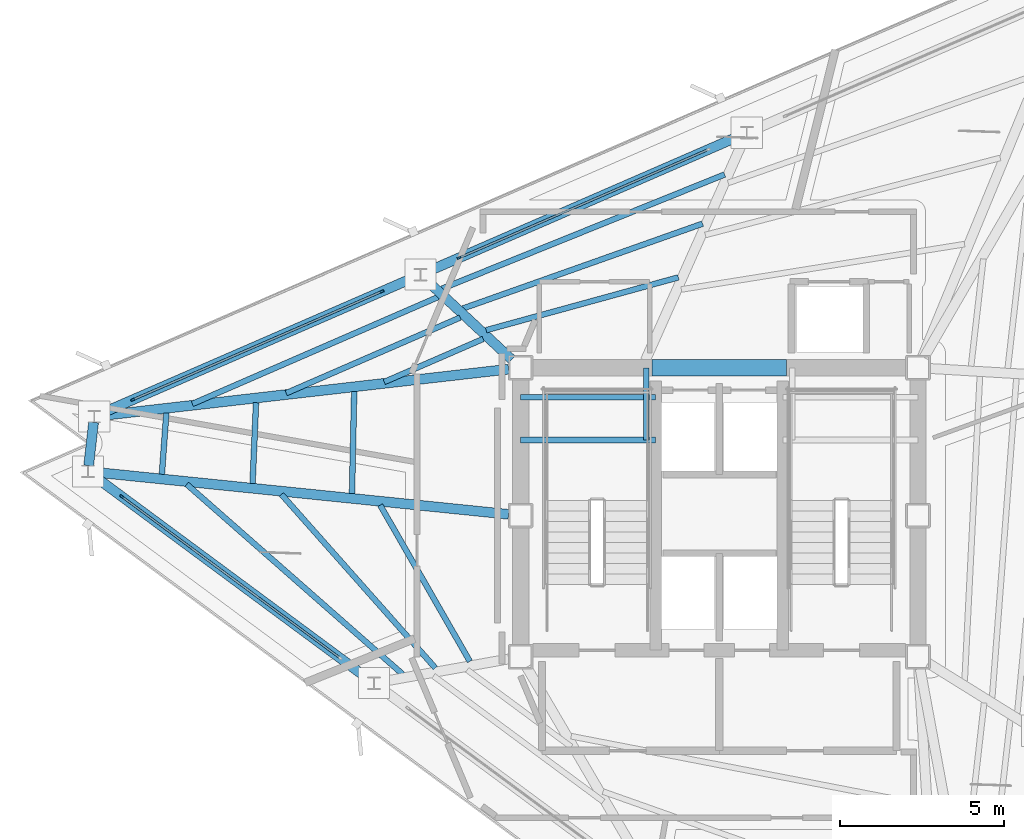
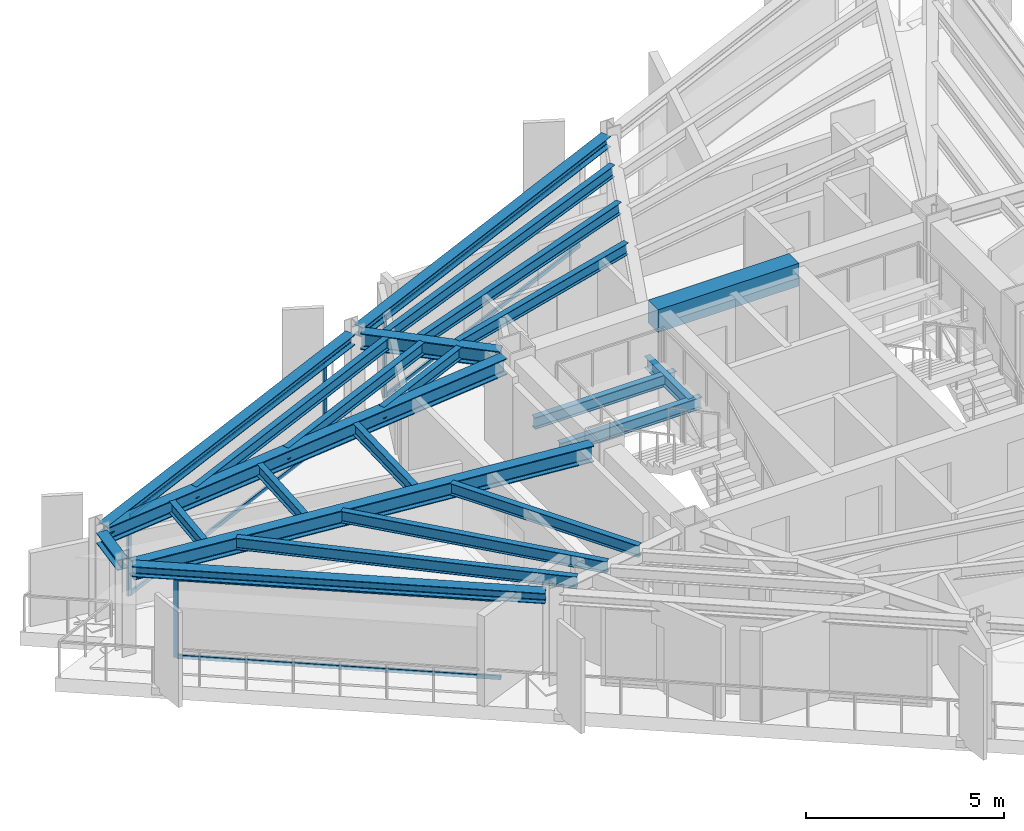
# One storey, part 3 of 10: 23 beams, 10 members, 3 elements without a shape of their own.
"""IFC4 building model written with IfcOpenShell, lengths in metres."""

from ifc_helpers import new_model, si_unit, direction, frame, origin, origin_2d, place, context, subcontext, project, spatial, rectangle, i_section, extrude, material, layer, layer_set, material_profile, profile_set, type_object, element, aggregate, save


model = new_model("IFC4")

# Units and contexts
model_context = context("Model", 3, precision=1e-05, world=origin(), true_north=direction((0.0, 1.0)))
body_context = subcontext(model_context, "Body", "Model", "MODEL_VIEW")
ifc_project = project(units=[si_unit("LENGTHUNIT", "METRE"), si_unit("AREAUNIT", "SQUARE_METRE"), si_unit("VOLUMEUNIT", "CUBIC_METRE"), si_unit("PLANEANGLEUNIT", "RADIAN"), si_unit("MASSUNIT", "GRAM", prefix="KILO")], contexts=[model_context])

# Site, building, storey
site_placement = place(None, origin())
site = spatial("IfcSite", under=ifc_project, at=site_placement, CompositionType="ELEMENT")
building_placement = place(site_placement, origin())
building = spatial("IfcBuilding", under=site, at=building_placement, Name="Rocaltana Carrier Exchange", CompositionType="ELEMENT")
storey_placement = place(building_placement, frame((0.0, 0.0, 214.8798828125)))
storey = spatial("IfcBuildingStorey", under=building, at=storey_placement, Name="L68", CompositionType="ELEMENT", Elevation=214.8798828125)

# Curtain wall, member
ifc_material_1 = material(Name="Aluminium 6063-T6", Category="aluminium")
ifc_layer = layer(ifc_material_1, 0.1201171875)
ifc_layer_set = layer_set([ifc_layer], Name="Aluminium 6063-T6")
curtain_wall_type = type_object("IfcCurtainWallType", Name="High-Altitude Thermal Curtain Wall CW-05", PredefinedType="NOTDEFINED", material=ifc_layer_set)
curtain_wall_1_placement = place(storey_placement, origin())
curtain_wall_1 = element("IfcCurtainWall", 1, at=curtain_wall_1_placement, inside=storey, type_object=curtain_wall_type, Name="L68 CW-05 Run CW-L68-F2S2", PredefinedType="NOTDEFINED")
ifc_material_2 = material(Name="Aluminium 6063-T6", Category="aluminium")
ifc_material_profile_1 = material_profile(ifc_material_2, rectangle(XDim=0.06005859375, YDim=0.1201171875, at=origin_2d()), Name="AL-60X120")
ifc_profile_set_1 = profile_set([ifc_material_profile_1], Name="Aluminium 6063-T6")
member_type_1 = type_object("IfcMemberType", Name="CW-05 Mullion AL-60X120", PredefinedType="MULLION", material=ifc_profile_set_1)
member_1_placement = place(storey_placement, frame((-7.922607421875, 7.846435546875, 0.0), z_axis=(0.0, 0.0, 1.0), x_axis=(0.398752438254, -0.917058609352, 0.0)))
member_1 = element("IfcMember", 2, at=member_1_placement, type_object=member_type_1, Name="CW-05 mullion 2", PredefinedType="MULLION", context=body_context, shape_type="SweptSolid", body=[
    extrude(rectangle(XDim=0.06005859375, YDim=0.1201171875, at=origin_2d()), origin(), (0.0, 0.0, 1.0), 2.447998046875),
])

# Curtain wall, members
curtain_wall_2_placement = place(storey_placement, origin())
curtain_wall_2 = element("IfcCurtainWall", 3, at=curtain_wall_2_placement, inside=storey, type_object=curtain_wall_type, Name="L68 CW-05 Run CW-L68-F2S3", PredefinedType="NOTDEFINED")
member_2_placement = place(storey_placement, frame((-10.270263671875, 6.82568359375, 0.0), z_axis=(0.0, 0.0, 1.0), x_axis=(0.39875682637, -0.917056701313, 0.0)))
member_2 = element("IfcMember", 4, at=member_2_placement, type_object=member_type_1, Name="CW-05 mullion 1", PredefinedType="MULLION", context=body_context, shape_type="SweptSolid", body=[
    extrude(rectangle(XDim=0.06005859375, YDim=0.1201171875, at=origin_2d()), origin(), (0.0, 0.0, 1.0), 2.447998046875),
])
member_3_placement = place(storey_placement, frame((-17.857421875, 3.526611328125, 0.0), z_axis=(0.0, 0.0, 1.0), x_axis=(0.39875682637, -0.917056701313, 0.0)))
member_3 = element("IfcMember", 5, at=member_3_placement, type_object=member_type_1, Name="CW-05 mullion 2", PredefinedType="MULLION", context=body_context, shape_type="SweptSolid", body=[
    extrude(rectangle(XDim=0.06005859375, YDim=0.1201171875, at=origin_2d()), origin(), (0.0, 0.0, 1.0), 2.447998046875),
])

# Curtain wall, member
curtain_wall_3_placement = place(storey_placement, origin())
curtain_wall_3 = element("IfcCurtainWall", 6, at=curtain_wall_3_placement, inside=storey, type_object=curtain_wall_type, Name="L68 CW-05 Run CW-L68-F3S1", PredefinedType="NOTDEFINED")
member_4_placement = place(storey_placement, frame((-18.19287109375, 0.580810546875, 0.0), z_axis=(0.0, 0.0, 1.0), x_axis=(0.594826566974, 0.803854063386, 0.0)))
member_4 = element("IfcMember", 7, at=member_4_placement, type_object=member_type_1, Name="CW-05 mullion 1", PredefinedType="MULLION", context=body_context, shape_type="SweptSolid", body=[
    extrude(rectangle(XDim=0.06005859375, YDim=0.1201171875, at=origin_2d()), origin(), (0.0, 0.0, 1.0), 2.447998046875),
])

# Member
ifc_material_3 = material(Name="Aluminium 6063-T6", Category="aluminium")
ifc_material_profile_2 = material_profile(ifc_material_3, rectangle(XDim=0.06005859375, YDim=0.1201171875, at=origin_2d()), Name="AL-60X120")
ifc_profile_set_2 = profile_set([ifc_material_profile_2], Name="Aluminium 6063-T6")
member_type_2 = type_object("IfcMemberType", Name="CW-05 Transom AL-60X120", PredefinedType="USERDEFINED", material=ifc_profile_set_2)
member_5_placement = place(storey_placement, frame((-0.36279296875, 11.133544921875, 0.030029296875), z_axis=(-0.917058241688, -0.398753283814, 0.0), x_axis=(0.398753283814, -0.917058241688, 0.0)))
member_5 = element("IfcMember", 8, at=member_5_placement, type_object=member_type_2, Name="CW-05 transom 1.1", ObjectType="TRANSOM", PredefinedType="USERDEFINED", context=body_context, shape_type="SweptSolid", body=[
    extrude(rectangle(XDim=0.06005859375, YDim=0.1201171875, at=origin_2d()), origin(), (0.0, 0.0, 1.0), 8.21337890625),
])

member_6_placement = place(storey_placement, frame((-0.36279296875, 11.133544921875, 2.418212890625), z_axis=(-0.917058241688, -0.398753283814, 0.0), x_axis=(0.398753283814, -0.917058241688, 0.0)))
member_6 = element("IfcMember", 9, at=member_6_placement, type_object=member_type_2, Name="CW-05 transom 1.2", ObjectType="TRANSOM", PredefinedType="USERDEFINED", context=body_context, shape_type="SweptSolid", body=[
    extrude(rectangle(XDim=0.06005859375, YDim=0.1201171875, at=origin_2d()), origin(), (0.0, 0.0, 1.0), 8.21337890625),
])

aggregate(curtain_wall_1, [member_1, member_5, member_6])

member_7_placement = place(storey_placement, frame((-10.297607421875, 6.813720703125, 0.030029296875), z_axis=(-0.917058241688, -0.398753283814, 0.0), x_axis=(0.398753283814, -0.917058241688, 0.0)))
member_7 = element("IfcMember", 10, at=member_7_placement, type_object=member_type_2, Name="CW-05 transom 1.1", ObjectType="TRANSOM", PredefinedType="USERDEFINED", context=body_context, shape_type="SweptSolid", body=[
    extrude(rectangle(XDim=0.06005859375, YDim=0.1201171875, at=origin_2d()), origin(), (0.0, 0.0, 1.0), 8.21337890625),
])

member_8_placement = place(storey_placement, frame((-10.297607421875, 6.813720703125, 2.418212890625), z_axis=(-0.917058241688, -0.398753283814, 0.0), x_axis=(0.398753283814, -0.917058241688, 0.0)))
member_8 = element("IfcMember", 11, at=member_8_placement, type_object=member_type_2, Name="CW-05 transom 1.2", ObjectType="TRANSOM", PredefinedType="USERDEFINED", context=body_context, shape_type="SweptSolid", body=[
    extrude(rectangle(XDim=0.06005859375, YDim=0.1201171875, at=origin_2d()), origin(), (0.0, 0.0, 1.0), 8.21337890625),
])

aggregate(curtain_wall_2, [member_2, member_3, member_7, member_8])

member_9_placement = place(storey_placement, frame((-18.1689453125, 0.56298828125, 0.030029296875), z_axis=(0.803853553959, -0.594827255418, 0.0), x_axis=(0.594827255418, 0.803853553959, 0.0)))
member_9 = element("IfcMember", 12, at=member_9_placement, type_object=member_type_2, Name="CW-05 transom 1.1", ObjectType="TRANSOM", PredefinedType="USERDEFINED", context=body_context, shape_type="SweptSolid", body=[
    extrude(rectangle(XDim=0.06005859375, YDim=0.1201171875, at=origin_2d()), origin(), (0.0, 0.0, 1.0), 8.21337890625),
])

member_10_placement = place(storey_placement, frame((-18.1689453125, 0.56298828125, 2.418212890625), z_axis=(0.803853553959, -0.594827255418, 0.0), x_axis=(0.594827255418, 0.803853553959, 0.0)))
member_10 = element("IfcMember", 13, at=member_10_placement, type_object=member_type_2, Name="CW-05 transom 1.2", ObjectType="TRANSOM", PredefinedType="USERDEFINED", context=body_context, shape_type="SweptSolid", body=[
    extrude(rectangle(XDim=0.06005859375, YDim=0.1201171875, at=origin_2d()), origin(), (0.0, 0.0, 1.0), 8.21337890625),
])

aggregate(curtain_wall_3, [member_4, member_9, member_10])

# Beams
ifc_material_4 = material(Name="Concrete C60/75", Category="concrete")
ifc_material_profile_3 = material_profile(ifc_material_4, rectangle(XDim=0.5, YDim=0.699951171875, at=origin_2d()), Name="RC-BM-500X700")
ifc_profile_set_3 = profile_set([ifc_material_profile_3], Name="Concrete C60/75")
beam_type_1 = type_object("IfcBeamType", Name="Core Coupling Lintel 500x700", PredefinedType="LINTEL", material=ifc_profile_set_3)
beam_1_placement = place(storey_placement, frame((-2.050048828125, 4.5, 2.447998046875), z_axis=(1.0, 0.0, 0.0), x_axis=(0.0, 1.0, 0.0)))
element("IfcBeam", 14, at=beam_1_placement, inside=storey, type_object=beam_type_1, Name="L68 Core Coupling Lintel CL-N", PredefinedType="LINTEL", context=body_context, shape_type="SweptSolid", body=[
    extrude(rectangle(XDim=0.5, YDim=0.699951171875, at=origin_2d()), origin(), (0.0, 0.0, 1.0), 4.10009765625),
])
ifc_material_5 = material(Name="Steel S355", Category="steel")
ifc_material_profile_4 = material_profile(ifc_material_5, i_section(OverallWidth=0.172119140625, OverallDepth=0.35791015625, WebThickness=0.0078125, FlangeThickness=0.01318359375, FilletRadius=0.011962890625, at=origin_2d()), Name="W14X38")
ifc_profile_set_4 = profile_set([ifc_material_profile_4], Name="Steel S355")
beam_type_2 = type_object("IfcBeamType", Name="Floor Joist W14X38", PredefinedType="JOIST", material=ifc_profile_set_4)
for number, where, z_axis, x_axis, name in (
    (15, (-6.050048828125, 2.300048828125, 1.14111328125), (1.0, 0.0, 0.0), (0.0, 1.0, 0.0), "L68 ST-1 Landing Carrier 1"),
    (16, (-6.050048828125, 3.60009765625, 1.14111328125), (1.0, 0.0, 0.0), (0.0, 1.0, 0.0), "L68 ST-1 Landing Carrier 2"),
):
    element("IfcBeam", number, at=place(storey_placement, frame(where, z_axis=z_axis, x_axis=x_axis)), inside=storey, type_object=beam_type_2, Name=name, PredefinedType="JOIST", context=body_context, shape_type="SweptSolid", body=[
        extrude(i_section(OverallWidth=0.172119140625, OverallDepth=0.35791015625, WebThickness=0.0078125, FlangeThickness=0.01318359375, FilletRadius=0.011962890625, at=origin_2d()), origin(), (0.0, 0.0, 1.0), 4.110107421875),
    ])
beam_2_placement = place(storey_placement, frame((-2.219970703125, 2.300048828125, 1.14111328125), z_axis=(0.0, 1.0, 0.0), x_axis=(-1.0, 0.0, 0.0)))
element("IfcBeam", 17, at=beam_2_placement, inside=storey, type_object=beam_type_2, Name="L68 ST-1 Landing Cross Trimmer", PredefinedType="JOIST", context=body_context, shape_type="SweptSolid", body=[
    extrude(i_section(OverallWidth=0.172119140625, OverallDepth=0.35791015625, WebThickness=0.0078125, FlangeThickness=0.01318359375, FilletRadius=0.011962890625, at=origin_2d()), origin(), (0.0, 0.0, 1.0), 2.199951171875),
])
beam_3_placement = place(storey_placement, frame((-1.245361328125, 7.252685546875, 2.619140625), z_axis=(-0.964263719162, -0.26494429586, 0.0), x_axis=(0.26494429586, -0.964263719162, 0.0)))
element("IfcBeam", 18, at=beam_3_placement, inside=storey, type_object=beam_type_2, Name="FJ-L68-06-1", PredefinedType="JOIST", context=body_context, shape_type="SweptSolid", body=[
    extrude(i_section(OverallWidth=0.172119140625, OverallDepth=0.35791015625, WebThickness=0.0078125, FlangeThickness=0.01318359375, FilletRadius=0.011962890625, at=origin_2d()), origin(), (0.0, 0.0, 1.0), 6.07080078125),
])
beam_4_placement = place(storey_placement, frame((-0.5087890625, 8.888427734375, 2.619140625), z_axis=(-0.942681203014, -0.333694695019, 0.0), x_axis=(0.333694695019, -0.942681203014, 0.0)))
element("IfcBeam", 19, at=beam_4_placement, inside=storey, type_object=beam_type_2, Name="FJ-L68-06-2", PredefinedType="JOIST", context=body_context, shape_type="SweptSolid", body=[
    extrude(i_section(OverallWidth=0.172119140625, OverallDepth=0.35791015625, WebThickness=0.0078125, FlangeThickness=0.01318359375, FilletRadius=0.011962890625, at=origin_2d()), origin(), (0.0, 0.0, 1.0), 7.73779296875),
])
beam_5_placement = place(storey_placement, frame((0.162841796875, 10.385498046875, 2.619140625), z_axis=(-0.927185285553, -0.374603051582, 0.0), x_axis=(0.374603051582, -0.927185285553, 0.0)))
element("IfcBeam", 20, at=beam_5_placement, inside=storey, type_object=beam_type_2, Name="FJ-L68-06-3", PredefinedType="JOIST", context=body_context, shape_type="SweptSolid", body=[
    extrude(i_section(OverallWidth=0.172119140625, OverallDepth=0.35791015625, WebThickness=0.0078125, FlangeThickness=0.01318359375, FilletRadius=0.011962890625, at=origin_2d()), origin(), (0.0, 0.0, 1.0), 9.283935546875),
])
beam_6_placement = place(storey_placement, frame((-7.1875, 5.37841796875, 2.619140625), z_axis=(-0.917065332478, -0.398736975923, 0.0), x_axis=(0.398736975923, -0.917065332478, 0.0)))
element("IfcBeam", 21, at=beam_6_placement, inside=storey, type_object=beam_type_2, Name="FJ-L68-07-1", PredefinedType="JOIST", context=body_context, shape_type="SweptSolid", body=[
    extrude(i_section(OverallWidth=0.172119140625, OverallDepth=0.35791015625, WebThickness=0.0078125, FlangeThickness=0.01318359375, FilletRadius=0.011962890625, at=origin_2d()), origin(), (0.0, 0.0, 1.0), 3.286865234375),
])
beam_7_placement = place(storey_placement, frame((-7.887939453125, 6.03076171875, 2.619140625), z_axis=(-0.917067369584, -0.398732290696, 0.0), x_axis=(0.398732290696, -0.917067369584, 0.0)))
element("IfcBeam", 22, at=beam_7_placement, inside=storey, type_object=beam_type_2, Name="FJ-L68-07-2", PredefinedType="JOIST", context=body_context, shape_type="SweptSolid", body=[
    extrude(i_section(OverallWidth=0.172119140625, OverallDepth=0.35791015625, WebThickness=0.0078125, FlangeThickness=0.01318359375, FilletRadius=0.011962890625, at=origin_2d()), origin(), (0.0, 0.0, 1.0), 5.77880859375),
])
beam_8_placement = place(storey_placement, frame((-8.55810546875, 6.65478515625, 2.619140625), z_axis=(-0.917059118447, -0.398751267426, 0.0), x_axis=(0.398751267426, -0.917059118447, 0.0)))
element("IfcBeam", 23, at=beam_8_placement, inside=storey, type_object=beam_type_2, Name="FJ-L68-07-3", PredefinedType="JOIST", context=body_context, shape_type="SweptSolid", body=[
    extrude(i_section(OverallWidth=0.172119140625, OverallDepth=0.35791015625, WebThickness=0.0078125, FlangeThickness=0.01318359375, FilletRadius=0.011962890625, at=origin_2d()), origin(), (0.0, 0.0, 1.0), 8.162109375),
])
beam_9_placement = place(storey_placement, frame((-11.11572265625, 3.77734375, 2.619140625), z_axis=(-0.021897715524, -0.999760216279, 0.0), x_axis=(0.999760216279, -0.021897715524, 0.0)))
element("IfcBeam", 24, at=beam_9_placement, inside=storey, type_object=beam_type_2, Name="FJ-L68-08-1", PredefinedType="JOIST", context=body_context, shape_type="SweptSolid", body=[
    extrude(i_section(OverallWidth=0.172119140625, OverallDepth=0.35791015625, WebThickness=0.0078125, FlangeThickness=0.01318359375, FilletRadius=0.011962890625, at=origin_2d()), origin(), (0.0, 0.0, 1.0), 3.110595703125),
])
beam_10_placement = place(storey_placement, frame((-14.1044921875, 3.436279296875, 2.619140625), z_axis=(-0.04302848557, -0.999073845834, 0.0), x_axis=(0.999073845834, -0.04302848557, 0.0)))
element("IfcBeam", 25, at=beam_10_placement, inside=storey, type_object=beam_type_2, Name="FJ-L68-08-2", PredefinedType="JOIST", context=body_context, shape_type="SweptSolid", body=[
    extrude(i_section(OverallWidth=0.172119140625, OverallDepth=0.35791015625, WebThickness=0.0078125, FlangeThickness=0.01318359375, FilletRadius=0.011962890625, at=origin_2d()), origin(), (0.0, 0.0, 1.0), 2.46240234375),
])
beam_11_placement = place(storey_placement, frame((-16.8349609375, 3.124755859375, 2.619140625), z_axis=(-0.07328566638, -0.997310990165, 0.0), x_axis=(0.997310990165, -0.07328566638, 0.0)))
element("IfcBeam", 26, at=beam_11_placement, inside=storey, type_object=beam_type_2, Name="FJ-L68-08-3", PredefinedType="JOIST", context=body_context, shape_type="SweptSolid", body=[
    extrude(i_section(OverallWidth=0.172119140625, OverallDepth=0.35791015625, WebThickness=0.0078125, FlangeThickness=0.01318359375, FilletRadius=0.011962890625, at=origin_2d()), origin(), (0.0, 0.0, 1.0), 1.872314453125),
])
beam_12_placement = place(storey_placement, frame((-10.3251953125, 0.318115234375, 2.619140625), z_axis=(0.497781973969, -0.867302200153, 0.0), x_axis=(0.867302200153, 0.497781973969, 0.0)))
element("IfcBeam", 27, at=beam_12_placement, inside=storey, type_object=beam_type_2, Name="FJ-L68-09-1", PredefinedType="JOIST", context=body_context, shape_type="SweptSolid", body=[
    extrude(i_section(OverallWidth=0.172119140625, OverallDepth=0.35791015625, WebThickness=0.0078125, FlangeThickness=0.01318359375, FilletRadius=0.011962890625, at=origin_2d()), origin(), (0.0, 0.0, 1.0), 5.48583984375),
])
beam_13_placement = place(storey_placement, frame((-13.330810546875, 0.643798828125, 2.619140625), z_axis=(0.663404294512, -0.748261145605, 0.0), x_axis=(0.748261145605, 0.663404294512, 0.0)))
element("IfcBeam", 28, at=beam_13_placement, inside=storey, type_object=beam_type_2, Name="FJ-L68-09-2", PredefinedType="JOIST", context=body_context, shape_type="SweptSolid", body=[
    extrude(i_section(OverallWidth=0.172119140625, OverallDepth=0.35791015625, WebThickness=0.0078125, FlangeThickness=0.01318359375, FilletRadius=0.011962890625, at=origin_2d()), origin(), (0.0, 0.0, 1.0), 7.063232421875),
])
beam_14_placement = place(storey_placement, frame((-16.2158203125, 0.951904296875, 2.619140625), z_axis=(0.750985569643, -0.66031861566, 0.0), x_axis=(0.66031861566, 0.750985569643, 0.0)))
element("IfcBeam", 29, at=beam_14_placement, inside=storey, type_object=beam_type_2, Name="FJ-L68-09-3", PredefinedType="JOIST", context=body_context, shape_type="SweptSolid", body=[
    extrude(i_section(OverallWidth=0.172119140625, OverallDepth=0.35791015625, WebThickness=0.0078125, FlangeThickness=0.01318359375, FilletRadius=0.011962890625, at=origin_2d()), origin(), (0.0, 0.0, 1.0), 8.7568359375),
])
ifc_material_6 = material(Name="Steel S355", Category="steel")
ifc_material_profile_5 = material_profile(ifc_material_6, i_section(OverallWidth=0.300048828125, OverallDepth=0.320068359375, WebThickness=0.011474609375, FlangeThickness=0.0205078125, FilletRadius=0.027099609375, at=origin_2d()), Name="HEB320")
ifc_profile_set_5 = profile_set([ifc_material_profile_5], Name="Steel S355")
beam_type_3 = type_object("IfcBeamType", Name="Spandrel Edge Beam HEB320", PredefinedType="SPANDREL", material=ifc_profile_set_5)
for number, where, z_axis, x_axis, name in (
    (30, (0.673828125, 11.584228515625, 2.63818359375), (-0.917065980028, -0.398735486602, 0.0), (0.398735486602, -0.917065980028, 0.0), "SP-L68-06"),
    (31, (-9.260986328125, 7.264404296875, 2.63818359375), (-0.917065980028, -0.398735486602, 0.0), (0.398735486602, -0.917065980028, 0.0), "SP-L68-07"),
):
    element("IfcBeam", number, at=place(storey_placement, frame(where, z_axis=z_axis, x_axis=x_axis)), inside=storey, type_object=beam_type_3, Name=name, PredefinedType="SPANDREL", context=body_context, shape_type="SweptSolid", body=[
        extrude(i_section(OverallWidth=0.300048828125, OverallDepth=0.320068359375, WebThickness=0.011474609375, FlangeThickness=0.0205078125, FilletRadius=0.027099609375, at=origin_2d()), origin(), (0.0, 0.0, 1.0), 10.474365234375),
    ])
beam_15_placement = place(storey_placement, frame((-19.051513671875, 2.837890625, 2.63818359375), z_axis=(-0.113240196336, -0.993567641348, 0.0), x_axis=(0.993567641348, -0.113240196336, 0.0)))
element("IfcBeam", 32, at=beam_15_placement, inside=storey, type_object=beam_type_3, Name="SP-L68-08", PredefinedType="SPANDREL", context=body_context, shape_type="SweptSolid", body=[
    extrude(i_section(OverallWidth=0.300048828125, OverallDepth=0.320068359375, WebThickness=0.011474609375, FlangeThickness=0.0205078125, FilletRadius=0.027099609375, at=origin_2d()), origin(), (0.0, 0.0, 1.0), 1.325927734375),
])
beam_16_placement = place(storey_placement, frame((-19.07763671875, 1.2353515625, 2.63818359375), z_axis=(0.803854381492, -0.594826137082, 0.0), x_axis=(0.594826137082, 0.803854381492, 0.0)))
element("IfcBeam", 33, at=beam_16_placement, inside=storey, type_object=beam_type_3, Name="SP-L68-09", PredefinedType="SPANDREL", context=body_context, shape_type="SweptSolid", body=[
    extrude(i_section(OverallWidth=0.300048828125, OverallDepth=0.320068359375, WebThickness=0.011474609375, FlangeThickness=0.0205078125, FilletRadius=0.027099609375, at=origin_2d()), origin(), (0.0, 0.0, 1.0), 10.474365234375),
])
ifc_material_7 = material(Name="Steel S355", Category="steel")
ifc_material_profile_6 = material_profile(ifc_material_7, i_section(OverallWidth=0.300048828125, OverallDepth=0.5, WebThickness=0.014404296875, FlangeThickness=0.028076171875, FilletRadius=0.027099609375, at=origin_2d()), Name="HEB500")
ifc_profile_set_6 = profile_set([ifc_material_profile_6], Name="Steel S355")
beam_type_4 = type_object("IfcBeamType", Name="Upper Radial Girder HEB500", PredefinedType="BEAM", material=ifc_profile_set_6)
beam_17_placement = place(storey_placement, frame((-6.318603515625, 4.75, 2.548095703125), z_axis=(-0.731941582308, 0.681367389951, 0.0), x_axis=(-0.681367389951, -0.731941582308, 0.0)))
element("IfcBeam", 34, at=beam_17_placement, inside=storey, type_object=beam_type_4, Name="RG-L68-07", PredefinedType="BEAM", context=body_context, shape_type="SweptSolid", body=[
    extrude(i_section(OverallWidth=0.300048828125, OverallDepth=0.5, WebThickness=0.014404296875, FlangeThickness=0.028076171875, FilletRadius=0.027099609375, at=origin_2d()), origin(), (0.0, 0.0, 1.0), 3.61572265625),
])
beam_18_placement = place(storey_placement, frame((-6.41455078125, 4.458251953125, 2.548095703125), z_axis=(-0.993531604049, -0.113555941083, 0.0), x_axis=(0.113555941083, -0.993531604049, 0.0)))
element("IfcBeam", 35, at=beam_18_placement, inside=storey, type_object=beam_type_4, Name="RG-L68-08", PredefinedType="BEAM", context=body_context, shape_type="SweptSolid", body=[
    extrude(i_section(OverallWidth=0.300048828125, OverallDepth=0.5, WebThickness=0.014404296875, FlangeThickness=0.028076171875, FilletRadius=0.027099609375, at=origin_2d()), origin(), (0.0, 0.0, 1.0), 12.519287109375),
])
beam_19_placement = place(storey_placement, frame((-6.4150390625, 0.037109375, 2.548095703125), z_axis=(-0.994847848946, 0.10137927524, 0.0), x_axis=(-0.10137927524, -0.994847848946, 0.0)))
element("IfcBeam", 36, at=beam_19_placement, inside=storey, type_object=beam_type_4, Name="RG-L68-09", PredefinedType="BEAM", context=body_context, shape_type="SweptSolid", body=[
    extrude(i_section(OverallWidth=0.300048828125, OverallDepth=0.5, WebThickness=0.014404296875, FlangeThickness=0.028076171875, FilletRadius=0.027099609375, at=origin_2d()), origin(), (0.0, 0.0, 1.0), 12.693603515625),
])

save(model, "model.ifc")
